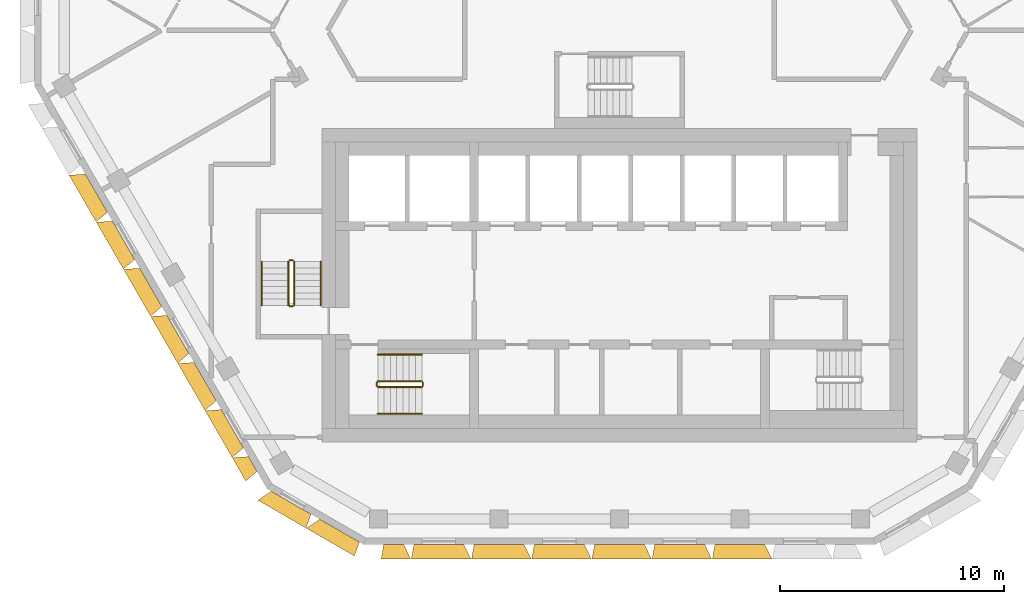
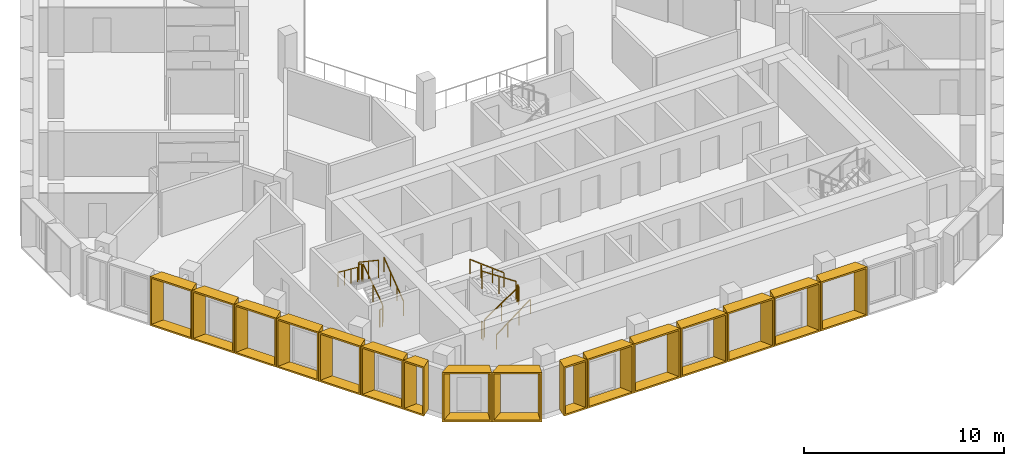
# One storey, part 11 of 15: 16 shading devices, 12 railings.
"""IFC4 building model written with IfcOpenShell, lengths in metres."""

from ifc_helpers import new_model, entity, si_unit, direction, frame, origin, origin_2d, place, context, subcontext, project, spatial, rectangle, extrude, source, transform, mapped, material, type_object, type_shapes, element, save


model = new_model("IFC4")

# Units and contexts
model_context = context("Model", 3, precision=1e-05, world=origin(), true_north=direction((0.0, 1.0)))
body_context = subcontext(model_context, "Body", "Model", "MODEL_VIEW")
ifc_project = project(units=[si_unit("LENGTHUNIT", "METRE"), si_unit("AREAUNIT", "SQUARE_METRE"), si_unit("VOLUMEUNIT", "CUBIC_METRE"), si_unit("PLANEANGLEUNIT", "RADIAN"), si_unit("MASSUNIT", "GRAM", prefix="KILO")], contexts=[model_context])

# Site, building, storey
site_placement = place(None, origin())
site = spatial("IfcSite", under=ifc_project, at=site_placement, CompositionType="ELEMENT")
building_placement = place(site_placement, origin())
building = spatial("IfcBuilding", under=site, at=building_placement, Name="Beryl Residences", CompositionType="ELEMENT")
storey_placement = place(building_placement, frame((0.0, 0.0, 193.199951171875)))
storey = spatial("IfcBuildingStorey", under=building, at=storey_placement, Name="L59", CompositionType="ELEMENT", Elevation=193.199951171875)

# Shading devices
ifc_material_1 = material(Name="Aluminium pale anodised", Category="aluminium")
shading_device_type_1 = type_object("IfcShadingDeviceType", Name="FR122-65B OUTER SKIN frame 650 mm deep, splay 26/10 deg, 1220 x 3000 mm cell", PredefinedType="USERDEFINED", material=ifc_material_1)
cartesian_point_1 = entity("IfcCartesianPoint", [-0.384033203125, 0.0])
cartesian_point_2 = entity("IfcCartesianPoint", [-0.294921875, 0.10009765625])
cartesian_point_3 = entity("IfcCartesianPoint", [-0.700927734375, 0.0])
cartesian_point_4 = entity("IfcCartesianPoint", [-0.612060546875, 0.10009765625])
shared_shape_1 = source(origin(), body_context, "Body", "SweptSolid", [
    entity("IfcExtrudedAreaSolidTapered", entity("IfcArbitraryProfileDefWithVoids", "AREA", None, entity("IfcPolyline", [cartesian_point_1, entity("IfcCartesianPoint", [0.384033203125, 0.0]), entity("IfcCartesianPoint", [0.384033203125, 3.0]), entity("IfcCartesianPoint", [-0.384033203125, 3.0]), cartesian_point_1]), [entity("IfcPolyline", [cartesian_point_2, entity("IfcCartesianPoint", [0.302734375, 0.10009765625]), entity("IfcCartesianPoint", [0.302734375, 2.89990234375]), entity("IfcCartesianPoint", [-0.294921875, 2.89990234375]), cartesian_point_2])]), entity("IfcAxis2Placement3D", entity("IfcCartesianPoint", [0.0, 0.0, 0.0]), entity("IfcDirection", [0.0, 1.0, 0.0]), entity("IfcDirection", [-1.0, 0.0, 0.0])), entity("IfcDirection", [0.0, 0.0, 1.0]), 0.64990234375, entity("IfcArbitraryProfileDefWithVoids", "AREA", None, entity("IfcPolyline", [cartesian_point_3, entity("IfcCartesianPoint", [0.49853515625, 0.0]), entity("IfcCartesianPoint", [0.49853515625, 3.0]), entity("IfcCartesianPoint", [-0.700927734375, 3.0]), cartesian_point_3]), [entity("IfcPolyline", [cartesian_point_4, entity("IfcCartesianPoint", [0.41748046875, 0.10009765625]), entity("IfcCartesianPoint", [0.41748046875, 2.89990234375]), entity("IfcCartesianPoint", [-0.612060546875, 2.89990234375]), cartesian_point_4])])),
])
type_shapes(shading_device_type_1, [shared_shape_1])
shading_device_1_placement = place(storey_placement, frame((-16.39794921875, -19.9970703125, 0.0), z_axis=(0.0, 0.0, 1.0), x_axis=(-0.5, 0.866025403784, 0.0)))
element("IfcShadingDevice", 1, at=shading_device_1_placement, inside=storey, type_object=shading_device_type_1, Name="FR122-65B frame L59 SW 9", ObjectType="OUTER SKIN", PredefinedType="USERDEFINED", context=body_context, shape_type="MappedRepresentation", body=[
    mapped(shared_shape_1, transform((0.0, 0.0, 0.0))),
])
ifc_material_2 = material(Name="Aluminium pale anodised", Category="aluminium")
shading_device_type_2 = type_object("IfcShadingDeviceType", Name="FR135-65C OUTER SKIN frame 650 mm deep, splay 10/26 deg, 1350 x 3000 mm cell", PredefinedType="USERDEFINED", material=ifc_material_2)
cartesian_point_5 = entity("IfcCartesianPoint", [-0.448974609375, 0.0])
cartesian_point_6 = entity("IfcCartesianPoint", [-0.36767578125, 0.10009765625])
cartesian_point_7 = entity("IfcCartesianPoint", [-0.563720703125, 0.0])
cartesian_point_8 = entity("IfcCartesianPoint", [-0.482421875, 0.10009765625])
shared_shape_2 = source(origin(), body_context, "Body", "SweptSolid", [
    entity("IfcExtrudedAreaSolidTapered", entity("IfcArbitraryProfileDefWithVoids", "AREA", None, entity("IfcPolyline", [cartesian_point_5, entity("IfcCartesianPoint", [0.448974609375, 0.0]), entity("IfcCartesianPoint", [0.448974609375, 3.0]), entity("IfcCartesianPoint", [-0.448974609375, 3.0]), cartesian_point_5]), [entity("IfcPolyline", [cartesian_point_6, entity("IfcCartesianPoint", [0.360107421875, 0.10009765625]), entity("IfcCartesianPoint", [0.360107421875, 2.89990234375]), entity("IfcCartesianPoint", [-0.36767578125, 2.89990234375]), cartesian_point_6])]), entity("IfcAxis2Placement3D", entity("IfcCartesianPoint", [0.0, 0.0, 0.0]), entity("IfcDirection", [0.0, 1.0, 0.0]), entity("IfcDirection", [-1.0, 0.0, 0.0])), entity("IfcDirection", [0.0, 0.0, 1.0]), 0.64990234375, entity("IfcArbitraryProfileDefWithVoids", "AREA", None, entity("IfcPolyline", [cartesian_point_7, entity("IfcCartesianPoint", [0.76611328125, 0.0]), entity("IfcCartesianPoint", [0.76611328125, 3.0]), entity("IfcCartesianPoint", [-0.563720703125, 3.0]), cartesian_point_7]), [entity("IfcPolyline", [cartesian_point_8, entity("IfcCartesianPoint", [0.677001953125, 0.10009765625]), entity("IfcCartesianPoint", [0.677001953125, 2.89990234375]), entity("IfcCartesianPoint", [-0.482421875, 2.89990234375]), cartesian_point_8])])),
])
type_shapes(shading_device_type_2, [shared_shape_2])
shading_device_2_placement = place(storey_placement, frame((-10.093994140625, -23.60009765625, 0.0), z_axis=(0.0, 0.0, 1.0), x_axis=(-1.0, 0.0, 0.0)))
element("IfcShadingDevice", 2, at=shading_device_2_placement, inside=storey, type_object=shading_device_type_2, Name="FR135-65C frame L59 S 1", ObjectType="OUTER SKIN", PredefinedType="USERDEFINED", context=body_context, shape_type="MappedRepresentation", body=[
    mapped(shared_shape_2, transform((0.0, 0.0, 0.0))),
])
ifc_material_3 = material(Name="Aluminium pale anodised", Category="aluminium")
shading_device_type_3 = type_object("IfcShadingDeviceType", Name="FR243-65B OUTER SKIN frame 650 mm deep, splay 26/10 deg, 2430 x 3000 mm cell", PredefinedType="USERDEFINED", material=ifc_material_3)
cartesian_point_9 = entity("IfcCartesianPoint", [-0.989013671875, 0.0])
cartesian_point_10 = entity("IfcCartesianPoint", [-0.89990234375, 0.10009765625])
cartesian_point_11 = entity("IfcCartesianPoint", [-1.305908203125, 0.0])
cartesian_point_12 = entity("IfcCartesianPoint", [-1.217041015625, 0.10009765625])
shared_shape_3 = source(origin(), body_context, "Body", "SweptSolid", [
    entity("IfcExtrudedAreaSolidTapered", entity("IfcArbitraryProfileDefWithVoids", "AREA", None, entity("IfcPolyline", [cartesian_point_9, entity("IfcCartesianPoint", [0.989013671875, 0.0]), entity("IfcCartesianPoint", [0.989013671875, 3.0]), entity("IfcCartesianPoint", [-0.989013671875, 3.0]), cartesian_point_9]), [entity("IfcPolyline", [cartesian_point_10, entity("IfcCartesianPoint", [0.90771484375, 0.10009765625]), entity("IfcCartesianPoint", [0.90771484375, 2.89990234375]), entity("IfcCartesianPoint", [-0.89990234375, 2.89990234375]), cartesian_point_10])]), entity("IfcAxis2Placement3D", entity("IfcCartesianPoint", [0.0, 0.0, 0.0]), entity("IfcDirection", [0.0, 1.0, 0.0]), entity("IfcDirection", [-1.0, 0.0, 0.0])), entity("IfcDirection", [0.0, 0.0, 1.0]), 0.64990234375, entity("IfcArbitraryProfileDefWithVoids", "AREA", None, entity("IfcPolyline", [cartesian_point_11, entity("IfcCartesianPoint", [1.103515625, 0.0]), entity("IfcCartesianPoint", [1.103515625, 3.0]), entity("IfcCartesianPoint", [-1.305908203125, 3.0]), cartesian_point_11]), [entity("IfcPolyline", [cartesian_point_12, entity("IfcCartesianPoint", [1.0224609375, 0.10009765625]), entity("IfcCartesianPoint", [1.0224609375, 2.89990234375]), entity("IfcCartesianPoint", [-1.217041015625, 2.89990234375]), cartesian_point_12])])),
])
type_shapes(shading_device_type_3, [shared_shape_3])
for number, where, z_axis, x_axis, name in (
    (3, (-23.388916015625, -7.886962890625, 0.0), (0.0, 0.0, 1.0), (-0.5, 0.866025403784, 0.0), "FR243-65B frame L59 SW 3"),
    (4, (-22.173095703125, -9.992919921875, 0.0), (0.0, 0.0, 1.0), (-0.5, 0.866025403784, 0.0), "FR243-65B frame L59 SW 4"),
    (5, (-20.95703125, -12.09912109375, 0.0), (0.0, 0.0, 1.0), (-0.5, 0.866025403784, 0.0), "FR243-65B frame L59 SW 5"),
    (6, (-19.741943359375, -14.205078125, 0.0), (0.0, 0.0, 1.0), (-0.5, 0.866025403784, 0.0), "FR243-65B frame L59 SW 6"),
    (7, (-18.52587890625, -16.31103515625, 0.0), (0.0, 0.0, 1.0), (-0.5, 0.866025403784, 0.0), "FR243-65B frame L59 SW 7"),
    (8, (-17.31005859375, -18.41796875, 0.0), (0.0, 0.0, 1.0), (-0.5, 0.866025403784, 0.0), "FR243-65B frame L59 SW 8"),
):
    element("IfcShadingDevice", number, at=place(storey_placement, frame(where, z_axis=z_axis, x_axis=x_axis)), inside=storey, type_object=shading_device_type_3, Name=name, ObjectType="OUTER SKIN", PredefinedType="USERDEFINED", context=body_context, shape_type="MappedRepresentation", body=[
        mapped(shared_shape_3, transform((0.0, 0.0, 0.0))),
    ])
ifc_material_4 = material(Name="Aluminium pale anodised", Category="aluminium")
shading_device_type_4 = type_object("IfcShadingDeviceType", Name="FR250-65B OUTER SKIN frame 650 mm deep, splay 26/10 deg, 2500 x 3000 mm cell", PredefinedType="USERDEFINED", material=ifc_material_4)
cartesian_point_13 = entity("IfcCartesianPoint", [-1.02392578125, 0.0])
cartesian_point_14 = entity("IfcCartesianPoint", [-0.93505859375, 0.10009765625])
cartesian_point_15 = entity("IfcCartesianPoint", [-1.341064453125, 0.0])
cartesian_point_16 = entity("IfcCartesianPoint", [-1.251953125, 0.10009765625])
shared_shape_4 = source(origin(), body_context, "Body", "SweptSolid", [
    entity("IfcExtrudedAreaSolidTapered", entity("IfcArbitraryProfileDefWithVoids", "AREA", None, entity("IfcPolyline", [cartesian_point_13, entity("IfcCartesianPoint", [1.02392578125, 0.0]), entity("IfcCartesianPoint", [1.02392578125, 3.0]), entity("IfcCartesianPoint", [-1.02392578125, 3.0]), cartesian_point_13]), [entity("IfcPolyline", [cartesian_point_14, entity("IfcCartesianPoint", [0.94287109375, 0.10009765625]), entity("IfcCartesianPoint", [0.94287109375, 2.89990234375]), entity("IfcCartesianPoint", [-0.93505859375, 2.89990234375]), cartesian_point_14])]), entity("IfcAxis2Placement3D", entity("IfcCartesianPoint", [0.0, 0.0, 0.0]), entity("IfcDirection", [0.0, 1.0, 0.0]), entity("IfcDirection", [-1.0, 0.0, 0.0])), entity("IfcDirection", [0.0, 0.0, 1.0]), 0.64990234375, entity("IfcArbitraryProfileDefWithVoids", "AREA", None, entity("IfcPolyline", [cartesian_point_15, entity("IfcCartesianPoint", [1.138671875, 0.0]), entity("IfcCartesianPoint", [1.138671875, 3.0]), entity("IfcCartesianPoint", [-1.341064453125, 3.0]), cartesian_point_15]), [entity("IfcPolyline", [cartesian_point_16, entity("IfcCartesianPoint", [1.057373046875, 0.10009765625]), entity("IfcCartesianPoint", [1.057373046875, 2.89990234375]), entity("IfcCartesianPoint", [-1.251953125, 2.89990234375]), cartesian_point_16])])),
])
type_shapes(shading_device_type_4, [shared_shape_4])
for number, where, z_axis, x_axis, name in (
    (9, (-14.677978515625, -21.72509765625, 0.0), (0.0, 0.0, 1.0), (-0.866025403784, 0.5, 0.0), "FR250-65B frame L59 SW-S 1"),
    (10, (-12.513916015625, -22.97509765625, 0.0), (0.0, 0.0, 1.0), (-0.866025403784, 0.5, 0.0), "FR250-65B frame L59 SW-S 2"),
):
    element("IfcShadingDevice", number, at=place(storey_placement, frame(where, z_axis=z_axis, x_axis=x_axis)), inside=storey, type_object=shading_device_type_4, Name=name, ObjectType="OUTER SKIN", PredefinedType="USERDEFINED", context=body_context, shape_type="MappedRepresentation", body=[
        mapped(shared_shape_4, transform((0.0, 0.0, 0.0))),
    ])
ifc_material_5 = material(Name="Aluminium pale anodised", Category="aluminium")
shading_device_type_5 = type_object("IfcShadingDeviceType", Name="FR269-65C OUTER SKIN frame 650 mm deep, splay 10/26 deg, 2690 x 3000 mm cell", PredefinedType="USERDEFINED", material=ifc_material_5)
cartesian_point_17 = entity("IfcCartesianPoint", [-1.118896484375, 0.0])
cartesian_point_18 = entity("IfcCartesianPoint", [-1.037841796875, 0.10009765625])
cartesian_point_19 = entity("IfcCartesianPoint", [-1.233642578125, 0.0])
cartesian_point_20 = entity("IfcCartesianPoint", [-1.15234375, 0.10009765625])
shared_shape_5 = source(origin(), body_context, "Body", "SweptSolid", [
    entity("IfcExtrudedAreaSolidTapered", entity("IfcArbitraryProfileDefWithVoids", "AREA", None, entity("IfcPolyline", [cartesian_point_17, entity("IfcCartesianPoint", [1.118896484375, 0.0]), entity("IfcCartesianPoint", [1.118896484375, 3.0]), entity("IfcCartesianPoint", [-1.118896484375, 3.0]), cartesian_point_17]), [entity("IfcPolyline", [cartesian_point_18, entity("IfcCartesianPoint", [1.030029296875, 0.10009765625]), entity("IfcCartesianPoint", [1.030029296875, 2.89990234375]), entity("IfcCartesianPoint", [-1.037841796875, 2.89990234375]), cartesian_point_18])]), entity("IfcAxis2Placement3D", entity("IfcCartesianPoint", [0.0, 0.0, 0.0]), entity("IfcDirection", [0.0, 1.0, 0.0]), entity("IfcDirection", [-1.0, 0.0, 0.0])), entity("IfcDirection", [0.0, 0.0, 1.0]), 0.64990234375, entity("IfcArbitraryProfileDefWithVoids", "AREA", None, entity("IfcPolyline", [cartesian_point_19, entity("IfcCartesianPoint", [1.43603515625, 0.0]), entity("IfcCartesianPoint", [1.43603515625, 3.0]), entity("IfcCartesianPoint", [-1.233642578125, 3.0]), cartesian_point_19]), [entity("IfcPolyline", [cartesian_point_20, entity("IfcCartesianPoint", [1.346923828125, 0.10009765625]), entity("IfcCartesianPoint", [1.346923828125, 2.89990234375]), entity("IfcCartesianPoint", [-1.15234375, 2.89990234375]), cartesian_point_20])])),
])
type_shapes(shading_device_type_5, [shared_shape_5])
for number, where, z_axis, x_axis, name in (
    (11, (-8.074951171875, -23.60009765625, 0.0), (0.0, 0.0, 1.0), (-1.0, 0.0, 0.0), "FR269-65C frame L59 S 2"),
    (12, (-5.383056640625, -23.60009765625, 0.0), (0.0, 0.0, 1.0), (-1.0, 0.0, 0.0), "FR269-65C frame L59 S 3"),
    (13, (-2.69091796875, -23.60009765625, 0.0), (0.0, 0.0, 1.0), (-1.0, 0.0, 0.0), "FR269-65C frame L59 S 4"),
    (14, (0.0009765625, -23.60009765625, 0.0), (0.0, 0.0, 1.0), (-1.0, 0.0, 0.0), "FR269-65C frame L59 S 5"),
    (15, (2.693115234375, -23.60009765625, 0.0), (0.0, 0.0, 1.0), (-1.0, 0.0, 0.0), "FR269-65C frame L59 S 6"),
    (16, (5.385009765625, -23.60009765625, 0.0), (0.0, 0.0, 1.0), (-1.0, 0.0, 0.0), "FR269-65C frame L59 S 7"),
):
    element("IfcShadingDevice", number, at=place(storey_placement, frame(where, z_axis=z_axis, x_axis=x_axis)), inside=storey, type_object=shading_device_type_5, Name=name, ObjectType="OUTER SKIN", PredefinedType="USERDEFINED", context=body_context, shape_type="MappedRepresentation", body=[
        mapped(shared_shape_5, transform((0.0, 0.0, 0.0))),
    ])

# Railings
ifc_material_6 = material(Name="Stainless steel balustrade with glass infill", Category="steel")
railing_type_1 = type_object("IfcRailingType", Name="SG1 stair guard 1100 mm", PredefinedType="GUARDRAIL", material=ifc_material_6)
railing_1_placement = place(storey_placement, frame((-10.800048828125, -16.550048828125, 0.1875)))
element("IfcRailing", 17, at=railing_1_placement, inside=storey, type_object=railing_type_1, Name="L59 ST-1 stair guard 1", PredefinedType="GUARDRAIL", context=body_context, shape_type="SweptSolid", body=[
    extrude(rectangle(XDim=0.048095703125, YDim=0.048095703125, at=origin_2d()), frame((0.0, 0.0, 1.076171875), z_axis=(0.830902050051, 0.0, 0.556418712142), x_axis=(0.0, 1.0, 0.0)), (0.0, 0.0, 1.0), 2.35888671875),
    extrude(rectangle(XDim=0.0419921875, YDim=0.0419921875, at=origin_2d()), origin(), (0.0, 0.0, 1.0), 1.052001953125),
    extrude(rectangle(XDim=0.0419921875, YDim=0.0419921875, at=origin_2d()), frame((0.97998046875, 0.0, 0.65625)), (0.0, 0.0, 1.0), 1.052001953125),
    extrude(rectangle(XDim=0.0419921875, YDim=0.0419921875, at=origin_2d()), frame((1.9599609375, 0.0, 1.3125)), (0.0, 0.0, 1.0), 1.052001953125),
])
railing_2_placement = place(storey_placement, frame((-8.7900390625, -16.5, 1.5)))
element("IfcRailing", 18, at=railing_2_placement, inside=storey, type_object=railing_type_1, Name="L59 ST-1 stair guard 2", PredefinedType="GUARDRAIL", context=body_context, shape_type="SweptSolid", body=[
    extrude(rectangle(XDim=0.048095703125, YDim=0.048095703125, at=origin_2d()), frame((0.0, 0.0, 1.076171875), z_axis=(0.0, 1.0, 0.0), x_axis=(-1.0, 0.0, 0.0)), (0.0, 0.0, 1.0), 0.14990234375),
    extrude(rectangle(XDim=0.0419921875, YDim=0.0419921875, at=origin_2d()), origin(), (0.0, 0.0, 1.0), 1.052001953125),
    extrude(rectangle(XDim=0.0419921875, YDim=0.0419921875, at=origin_2d()), frame((0.0, 0.14990234375, 0.0)), (0.0, 0.0, 1.0), 1.052001953125),
])
railing_3_placement = place(storey_placement, frame((-8.840087890625, -16.300048828125, 1.6875)))
element("IfcRailing", 19, at=railing_3_placement, inside=storey, type_object=railing_type_1, Name="L59 ST-1 stair guard 3", PredefinedType="GUARDRAIL", context=body_context, shape_type="SweptSolid", body=[
    extrude(rectangle(XDim=0.048095703125, YDim=0.048095703125, at=origin_2d()), frame((0.0, 0.0, 1.076171875), z_axis=(-0.830902050051, 0.0, 0.556418712142), x_axis=(0.0, -1.0, 0.0)), (0.0, 0.0, 1.0), 2.35888671875),
    extrude(rectangle(XDim=0.0419921875, YDim=0.0419921875, at=origin_2d()), origin(), (0.0, 0.0, 1.0), 1.052001953125),
    extrude(rectangle(XDim=0.0419921875, YDim=0.0419921875, at=origin_2d()), frame((-0.97998046875, 0.0, 0.65625)), (0.0, 0.0, 1.0), 1.052001953125),
    extrude(rectangle(XDim=0.0419921875, YDim=0.0419921875, at=origin_2d()), frame((-1.9599609375, 0.0, 1.3125)), (0.0, 0.0, 1.0), 1.052001953125),
])
railing_4_placement = place(storey_placement, frame((-10.85009765625, -16.5, 0.0)))
element("IfcRailing", 20, at=railing_4_placement, inside=storey, type_object=railing_type_1, Name="L59 ST-1 stair guard 4", PredefinedType="GUARDRAIL", context=body_context, shape_type="SweptSolid", body=[
    extrude(rectangle(XDim=0.048095703125, YDim=0.048095703125, at=origin_2d()), frame((0.0, 0.0, 1.076171875), z_axis=(0.0, 1.0, 0.0), x_axis=(-1.0, 0.0, 0.0)), (0.0, 0.0, 1.0), 0.14990234375),
    extrude(rectangle(XDim=0.0419921875, YDim=0.0419921875, at=origin_2d()), origin(), (0.0, 0.0, 1.0), 1.052001953125),
    extrude(rectangle(XDim=0.0419921875, YDim=0.0419921875, at=origin_2d()), frame((0.0, 0.14990234375, 0.0)), (0.0, 0.0, 1.0), 1.052001953125),
])
railing_5_placement = place(storey_placement, frame((-14.550048828125, -12.89990234375, 0.1875)))
element("IfcRailing", 21, at=railing_5_placement, inside=storey, type_object=railing_type_1, Name="L59 ST-2 stair guard 1", PredefinedType="GUARDRAIL", context=body_context, shape_type="SweptSolid", body=[
    extrude(rectangle(XDim=0.048095703125, YDim=0.048095703125, at=origin_2d()), frame((0.0, 0.0, 1.076171875), z_axis=(0.0, 0.830902050051, 0.556418712142), x_axis=(-1.0, 0.0, 0.0)), (0.0, 0.0, 1.0), 2.35888671875),
    extrude(rectangle(XDim=0.0419921875, YDim=0.0419921875, at=origin_2d()), origin(), (0.0, 0.0, 1.0), 1.052001953125),
    extrude(rectangle(XDim=0.0419921875, YDim=0.0419921875, at=origin_2d()), frame((0.0, 0.97998046875, 0.65625)), (0.0, 0.0, 1.0), 1.052001953125),
    extrude(rectangle(XDim=0.0419921875, YDim=0.0419921875, at=origin_2d()), frame((0.0, 1.9599609375, 1.3125)), (0.0, 0.0, 1.0), 1.052001953125),
])
railing_6_placement = place(storey_placement, frame((-14.60009765625, -10.889892578125, 1.5)))
element("IfcRailing", 22, at=railing_6_placement, inside=storey, type_object=railing_type_1, Name="L59 ST-2 stair guard 2", PredefinedType="GUARDRAIL", context=body_context, shape_type="SweptSolid", body=[
    extrude(rectangle(XDim=0.048095703125, YDim=0.048095703125, at=origin_2d()), frame((0.0, 0.0, 1.076171875), z_axis=(-1.0, 0.0, 0.0), x_axis=(0.0, -1.0, 0.0)), (0.0, 0.0, 1.0), 0.14990234375),
    extrude(rectangle(XDim=0.0419921875, YDim=0.0419921875, at=origin_2d()), origin(), (0.0, 0.0, 1.0), 1.052001953125),
    extrude(rectangle(XDim=0.0419921875, YDim=0.0419921875, at=origin_2d()), frame((-0.14990234375, 0.0, 0.0)), (0.0, 0.0, 1.0), 1.052001953125),
])
railing_7_placement = place(storey_placement, frame((-14.800048828125, -10.93994140625, 1.6875)))
element("IfcRailing", 23, at=railing_7_placement, inside=storey, type_object=railing_type_1, Name="L59 ST-2 stair guard 3", PredefinedType="GUARDRAIL", context=body_context, shape_type="SweptSolid", body=[
    extrude(rectangle(XDim=0.048095703125, YDim=0.048095703125, at=origin_2d()), frame((0.0, 0.0, 1.076171875), z_axis=(0.0, -0.830902050051, 0.556418712142), x_axis=(1.0, 0.0, 0.0)), (0.0, 0.0, 1.0), 2.35888671875),
    extrude(rectangle(XDim=0.0419921875, YDim=0.0419921875, at=origin_2d()), origin(), (0.0, 0.0, 1.0), 1.052001953125),
    extrude(rectangle(XDim=0.0419921875, YDim=0.0419921875, at=origin_2d()), frame((0.0, -0.97998046875, 0.65625)), (0.0, 0.0, 1.0), 1.052001953125),
    extrude(rectangle(XDim=0.0419921875, YDim=0.0419921875, at=origin_2d()), frame((0.0, -1.9599609375, 1.3125)), (0.0, 0.0, 1.0), 1.052001953125),
])
railing_8_placement = place(storey_placement, frame((-14.60009765625, -12.949951171875, 0.0)))
element("IfcRailing", 24, at=railing_8_placement, inside=storey, type_object=railing_type_1, Name="L59 ST-2 stair guard 4", PredefinedType="GUARDRAIL", context=body_context, shape_type="SweptSolid", body=[
    extrude(rectangle(XDim=0.048095703125, YDim=0.048095703125, at=origin_2d()), frame((0.0, 0.0, 1.076171875), z_axis=(-1.0, 0.0, 0.0), x_axis=(0.0, -1.0, 0.0)), (0.0, 0.0, 1.0), 0.14990234375),
    extrude(rectangle(XDim=0.0419921875, YDim=0.0419921875, at=origin_2d()), origin(), (0.0, 0.0, 1.0), 1.052001953125),
    extrude(rectangle(XDim=0.0419921875, YDim=0.0419921875, at=origin_2d()), frame((-0.14990234375, 0.0, 0.0)), (0.0, 0.0, 1.0), 1.052001953125),
])
ifc_material_7 = material(Name="Stainless steel handrail", Category="steel")
railing_type_2 = type_object("IfcRailingType", Name="SRL1 stair handrail 900 mm", PredefinedType="HANDRAIL", material=ifc_material_7)
railing_9_placement = place(storey_placement, frame((-10.800048828125, -17.75, 0.1875)))
element("IfcRailing", 25, at=railing_9_placement, inside=storey, type_object=railing_type_2, Name="L59 ST-1 stair handrail 1", PredefinedType="HANDRAIL", context=body_context, shape_type="SweptSolid", body=[
    extrude(rectangle(XDim=0.048095703125, YDim=0.048095703125, at=origin_2d()), frame((0.0, 0.0, 0.8759765625), z_axis=(0.794121922505, 0.0, 0.607758481798), x_axis=(0.0, 1.0, 0.0)), (0.0, 0.0, 1.0), 2.468017578125),
    extrude(rectangle(XDim=0.0419921875, YDim=0.0419921875, at=origin_2d()), origin(), (0.0, 0.0, 1.0), 0.851806640625),
    extrude(rectangle(XDim=0.0419921875, YDim=0.0419921875, at=origin_2d()), frame((0.6533203125, 0.0, 0.5)), (0.0, 0.0, 1.0), 0.851806640625),
    extrude(rectangle(XDim=0.0419921875, YDim=0.0419921875, at=origin_2d()), frame((1.306640625, 0.0, 1.0)), (0.0, 0.0, 1.0), 0.851806640625),
    extrude(rectangle(XDim=0.0419921875, YDim=0.0419921875, at=origin_2d()), frame((1.9599609375, 0.0, 1.5)), (0.0, 0.0, 1.0), 0.851806640625),
])
railing_10_placement = place(storey_placement, frame((-8.840087890625, -15.10009765625, 1.6875)))
element("IfcRailing", 26, at=railing_10_placement, inside=storey, type_object=railing_type_2, Name="L59 ST-1 stair handrail 2", PredefinedType="HANDRAIL", context=body_context, shape_type="SweptSolid", body=[
    extrude(rectangle(XDim=0.048095703125, YDim=0.048095703125, at=origin_2d()), frame((0.0, 0.0, 0.8759765625), z_axis=(-0.794121922505, 0.0, 0.607758481798), x_axis=(0.0, -1.0, 0.0)), (0.0, 0.0, 1.0), 2.468017578125),
    extrude(rectangle(XDim=0.0419921875, YDim=0.0419921875, at=origin_2d()), origin(), (0.0, 0.0, 1.0), 0.851806640625),
    extrude(rectangle(XDim=0.0419921875, YDim=0.0419921875, at=origin_2d()), frame((-0.6533203125, 0.0, 0.5)), (0.0, 0.0, 1.0), 0.851806640625),
    extrude(rectangle(XDim=0.0419921875, YDim=0.0419921875, at=origin_2d()), frame((-1.306640625, 0.0, 1.0)), (0.0, 0.0, 1.0), 0.851806640625),
    extrude(rectangle(XDim=0.0419921875, YDim=0.0419921875, at=origin_2d()), frame((-1.9599609375, 0.0, 1.5)), (0.0, 0.0, 1.0), 0.851806640625),
])
railing_11_placement = place(storey_placement, frame((-13.35009765625, -12.89990234375, 0.1875)))
element("IfcRailing", 27, at=railing_11_placement, inside=storey, type_object=railing_type_2, Name="L59 ST-2 stair handrail 1", PredefinedType="HANDRAIL", context=body_context, shape_type="SweptSolid", body=[
    extrude(rectangle(XDim=0.048095703125, YDim=0.048095703125, at=origin_2d()), frame((0.0, 0.0, 0.8759765625), z_axis=(0.0, 0.794121922505, 0.607758481798), x_axis=(-1.0, 0.0, 0.0)), (0.0, 0.0, 1.0), 2.468017578125),
    extrude(rectangle(XDim=0.0419921875, YDim=0.0419921875, at=origin_2d()), origin(), (0.0, 0.0, 1.0), 0.851806640625),
    extrude(rectangle(XDim=0.0419921875, YDim=0.0419921875, at=origin_2d()), frame((0.0, 0.6533203125, 0.5)), (0.0, 0.0, 1.0), 0.851806640625),
    extrude(rectangle(XDim=0.0419921875, YDim=0.0419921875, at=origin_2d()), frame((0.0, 1.306640625, 1.0)), (0.0, 0.0, 1.0), 0.851806640625),
    extrude(rectangle(XDim=0.0419921875, YDim=0.0419921875, at=origin_2d()), frame((0.0, 1.9599609375, 1.5)), (0.0, 0.0, 1.0), 0.851806640625),
])
railing_12_placement = place(storey_placement, frame((-16.0, -10.93994140625, 1.6875)))
element("IfcRailing", 28, at=railing_12_placement, inside=storey, type_object=railing_type_2, Name="L59 ST-2 stair handrail 2", PredefinedType="HANDRAIL", context=body_context, shape_type="SweptSolid", body=[
    extrude(rectangle(XDim=0.048095703125, YDim=0.048095703125, at=origin_2d()), frame((0.0, 0.0, 0.8759765625), z_axis=(0.0, -0.794121922505, 0.607758481798), x_axis=(1.0, 0.0, 0.0)), (0.0, 0.0, 1.0), 2.468017578125),
    extrude(rectangle(XDim=0.0419921875, YDim=0.0419921875, at=origin_2d()), origin(), (0.0, 0.0, 1.0), 0.851806640625),
    extrude(rectangle(XDim=0.0419921875, YDim=0.0419921875, at=origin_2d()), frame((0.0, -0.6533203125, 0.5)), (0.0, 0.0, 1.0), 0.851806640625),
    extrude(rectangle(XDim=0.0419921875, YDim=0.0419921875, at=origin_2d()), frame((0.0, -1.306640625, 1.0)), (0.0, 0.0, 1.0), 0.851806640625),
    extrude(rectangle(XDim=0.0419921875, YDim=0.0419921875, at=origin_2d()), frame((0.0, -1.9599609375, 1.5)), (0.0, 0.0, 1.0), 0.851806640625),
])

save(model, "model.ifc")
